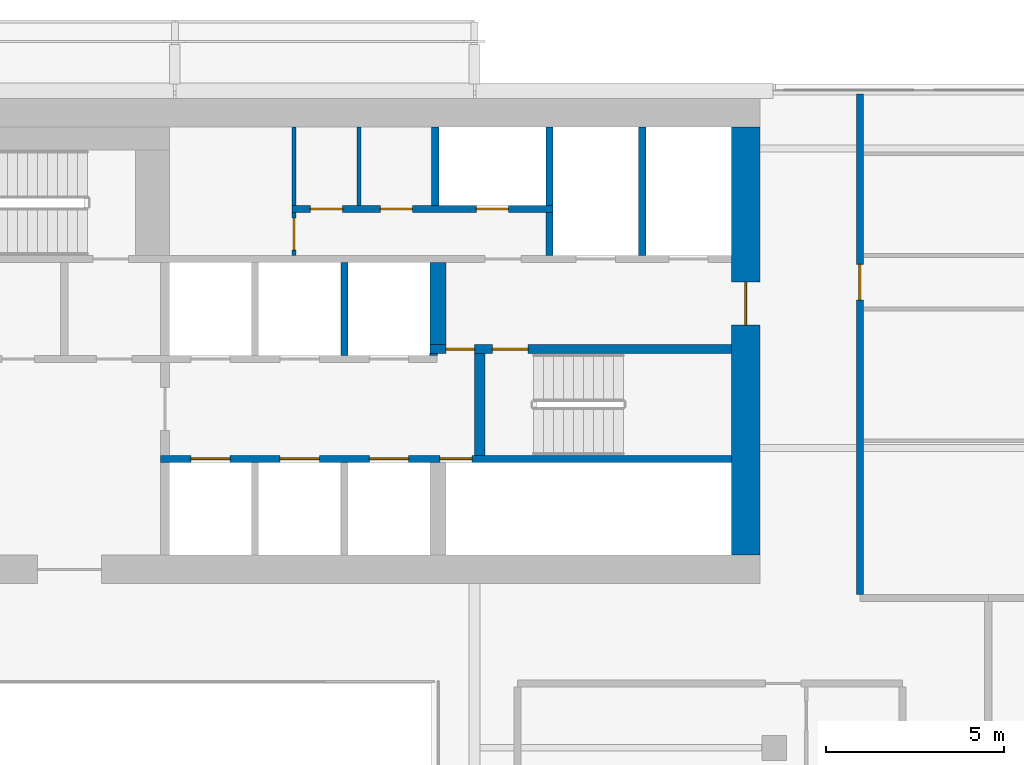
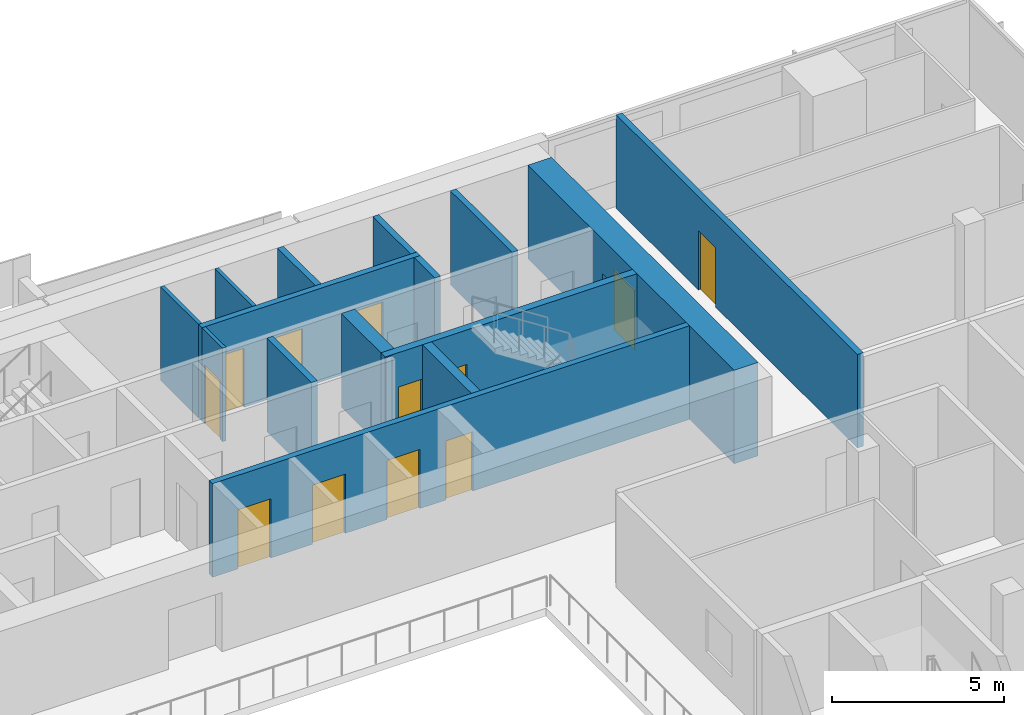
# One storey, part 22 of 27: 16 walls, 12 doors, 12 openings.
"""IFC4 building model written with IfcOpenShell, lengths in metres."""

from ifc_helpers import new_model, si_unit, direction, frame, frame_2d, origin, place, context, subcontext, project, spatial, rectangle, extrude, material, layer, layer_set, type_object, element, fill, save


model = new_model("IFC4")

# Units and contexts
model_context = context("Model", 3, precision=1e-05, world=origin(), true_north=direction((0.0, 1.0)))
body_context = subcontext(model_context, "Body", "Model", "MODEL_VIEW")
ifc_project = project(units=[si_unit("LENGTHUNIT", "METRE"), si_unit("AREAUNIT", "SQUARE_METRE"), si_unit("VOLUMEUNIT", "CUBIC_METRE"), si_unit("PLANEANGLEUNIT", "RADIAN"), si_unit("MASSUNIT", "GRAM", prefix="KILO")], contexts=[model_context])

# Site, building, storey
site_placement = place(None, origin())
site = spatial("IfcSite", under=ifc_project, at=site_placement, CompositionType="ELEMENT")
building_placement = place(site_placement, origin())
building = spatial("IfcBuilding", under=site, at=building_placement, Name="Saffron Gate Tower", CompositionType="ELEMENT")
storey_placement = place(building_placement, frame((0.0, 0.0, 172.64990234375)))
storey = spatial("IfcBuildingStorey", under=building, at=storey_placement, Name="L42", CompositionType="ELEMENT", Elevation=172.64990234375)

# Wall, opening, door
ifc_material_1 = material(Name="Concrete C60", Category="concrete")
ifc_layer_1 = layer(ifc_material_1, 0.800048828125)
ifc_layer_set_1 = layer_set([ifc_layer_1], Name="CW13 RC core wall 800 C60")
wall_type_1 = type_object("IfcWallType", Name="CW13 RC core wall 800 C60", PredefinedType="SOLIDWALL", material=ifc_layer_set_1)
wall_1_placement = place(storey_placement, frame((107.800048828125, 62.39990234375, 0.0), z_axis=(0.0, 0.0, 1.0), x_axis=(0.0, 1.0, 0.0)))
wall_1 = element("IfcWall", 1, at=wall_1_placement, inside=storey, type_object=wall_type_1, Name="Wall CW13-L42-4", PredefinedType="SOLIDWALL", context=body_context, shape_type="SweptSolid", body=[
    extrude(rectangle(XDim=12.0, YDim=0.800048828125, at=frame_2d((6.0, 0.0))), origin(), (0.0, 0.0, 1.0), 3.320068359375),
])
opening_1_placement = place(wall_1_placement, frame((6.449951171875, 0.0, 0.0)))
opening_1 = element("IfcOpeningElement", 2, at=opening_1_placement, cuts=wall_1, Name="Opening CR-08", PredefinedType="OPENING", context=body_context, shape_type="SweptSolid", body=[
    extrude(rectangle(XDim=1.199951171875, YDim=2.10009765625, at=frame_2d((0.60009765625, 1.050048828125))), frame((0.0, 0.41015625, 0.0), z_axis=(0.0, -1.0, 0.0), x_axis=(1.0, 0.0, 0.0)), (0.0, 0.0, 1.0), 0.820068359375),
])
ifc_material_2 = material(Name="Steel fire door set", Category="steel")
door_type_1 = type_object("IfcDoorType", Name="CD7 Core entrance door 1200x2100 EI 120", OperationType="NOTDEFINED", PredefinedType="DOOR", material=ifc_material_2)
door_1_placement = place(opening_1_placement, origin())
door_1 = element("IfcDoor", 3, at=door_1_placement, inside=storey, type_object=door_type_1, Name="DOOR CR-08", OperationType="SINGLE_SWING_RIGHT", OverallHeight=2.10009765625, OverallWidth=1.199951171875, PredefinedType="DOOR", context=body_context, shape_type="SweptSolid", body=[
    extrude(rectangle(XDim=1.199951171875, YDim=2.10009765625, at=frame_2d((0.60009765625, 1.050048828125))), frame((0.0, 0.02490234375, 0.0), z_axis=(0.0, -1.0, 0.0), x_axis=(1.0, 0.0, 0.0)), (0.0, 0.0, 1.0), 0.050048828125),
])
fill(opening_1, door_1)

# Wall, openings, doors
ifc_layer_2 = layer(ifc_material_1, 0.25)
ifc_layer_set_2 = layer_set([ifc_layer_2], Name="CW14 RC core wall 250 C60")
wall_type_2 = type_object("IfcWallType", Name="CW14 RC core wall 250 C60", PredefinedType="SOLIDWALL", material=ifc_layer_set_2)
wall_2_placement = place(storey_placement, frame((98.949951171875, 68.175048828125, 0.0), z_axis=(0.0, 0.0, 1.0), x_axis=(1.0, 0.0, 0.0)))
wall_2 = element("IfcWall", 4, at=wall_2_placement, inside=storey, type_object=wall_type_2, Name="Wall CW14-L42-29", PredefinedType="SOLIDWALL", context=body_context, shape_type="SweptSolid", body=[
    extrude(rectangle(XDim=8.449951171875, YDim=0.25, at=frame_2d((4.22509765625, 0.0))), origin(), (0.0, 0.0, 1.0), 3.320068359375),
])
opening_2_placement = place(wall_2_placement, frame((0.449951171875, 0.0, 0.0)))
opening_2 = element("IfcOpeningElement", 5, at=opening_2_placement, cuts=wall_2, Name="Opening CR-05", PredefinedType="OPENING", context=body_context, shape_type="SweptSolid", body=[
    extrude(rectangle(XDim=0.800048828125, YDim=2.10009765625, at=frame_2d((0.39990234375, 1.050048828125))), frame((0.0, 0.135009765625, 0.0), z_axis=(0.0, -1.0, 0.0), x_axis=(1.0, 0.0, 0.0)), (0.0, 0.0, 1.0), 0.27001953125),
])
opening_3_placement = place(wall_2_placement, frame((1.75, 0.0, 0.0)))
opening_3 = element("IfcOpeningElement", 6, at=opening_3_placement, cuts=wall_2, Name="Opening CR-16", PredefinedType="OPENING", context=body_context, shape_type="SweptSolid", body=[
    extrude(rectangle(XDim=1.0, YDim=2.10009765625, at=frame_2d((0.5, 1.050048828125))), frame((0.0, 0.135009765625, 0.0), z_axis=(0.0, -1.0, 0.0), x_axis=(1.0, 0.0, 0.0)), (0.0, 0.0, 1.0), 0.27001953125),
])
door_type_2 = type_object("IfcDoorType", Name="CD5 Stair door 1000x2100 EI 120", OperationType="NOTDEFINED", PredefinedType="DOOR", material=ifc_material_2)
door_2_placement = place(opening_3_placement, origin())
door_2 = element("IfcDoor", 7, at=door_2_placement, inside=storey, type_object=door_type_2, Name="DOOR CR-16", OperationType="SINGLE_SWING_RIGHT", OverallHeight=2.10009765625, OverallWidth=1.0, PredefinedType="DOOR", context=body_context, shape_type="SweptSolid", body=[
    extrude(rectangle(XDim=1.0, YDim=2.10009765625, at=frame_2d((0.5, 1.050048828125))), frame((0.0, 0.02490234375, 0.0), z_axis=(0.0, -1.0, 0.0), x_axis=(1.0, 0.0, 0.0)), (0.0, 0.0, 1.0), 0.050048828125),
])
fill(opening_3, door_2)
door_type_3 = type_object("IfcDoorType", Name="CD6 Lobby door 800x2100 EI 120", OperationType="NOTDEFINED", PredefinedType="DOOR", material=ifc_material_2)
door_3_placement = place(opening_2_placement, origin())
door_3 = element("IfcDoor", 8, at=door_3_placement, inside=storey, type_object=door_type_3, Name="DOOR CR-05", OperationType="SINGLE_SWING_LEFT", OverallHeight=2.10009765625, OverallWidth=0.800048828125, PredefinedType="DOOR", context=body_context, shape_type="SweptSolid", body=[
    extrude(rectangle(XDim=0.800048828125, YDim=2.10009765625, at=frame_2d((0.39990234375, 1.050048828125))), frame((0.0, 0.02490234375, 0.0), z_axis=(0.0, -1.0, 0.0), x_axis=(1.0, 0.0, 0.0)), (0.0, 0.0, 1.0), 0.050048828125),
])
fill(opening_2, door_3)

ifc_layer_3 = layer(ifc_material_1, 0.199951171875)
ifc_layer_set_3 = layer_set([ifc_layer_3], Name="CW15 RC core wall 200 C60")
wall_type_3 = type_object("IfcWallType", Name="CW15 RC core wall 200 C60", PredefinedType="SOLIDWALL", material=ifc_layer_set_3)
wall_3_placement = place(storey_placement, frame((91.39990234375, 65.10009765625, 0.0), z_axis=(0.0, 0.0, 1.0), x_axis=(1.0, 0.0, 0.0)))
wall_3 = element("IfcWall", 9, at=wall_3_placement, inside=storey, type_object=wall_type_3, Name="Wall CW15-L42-14", PredefinedType="SOLIDWALL", context=body_context, shape_type="SweptSolid", body=[
    extrude(rectangle(XDim=16.0, YDim=0.199951171875, at=frame_2d((8.0, 0.0))), origin(), (0.0, 0.0, 1.0), 3.320068359375),
])
opening_4_placement = place(wall_3_placement, frame((0.85009765625, 0.0, 0.0)))
opening_4 = element("IfcOpeningElement", 10, at=opening_4_placement, cuts=wall_3, Name="Opening LD-HR1", PredefinedType="OPENING", context=body_context, shape_type="SweptSolid", body=[
    extrude(rectangle(XDim=1.10009765625, YDim=2.10009765625, at=frame_2d((0.550048828125, 1.050048828125))), frame((0.0, 0.10986328125, 0.0), z_axis=(0.0, -1.0, 0.0), x_axis=(1.0, 0.0, 0.0)), (0.0, 0.0, 1.0), 0.219970703125),
])
opening_5_placement = place(wall_3_placement, frame((3.35009765625, 0.0, 0.0)))
opening_5 = element("IfcOpeningElement", 11, at=opening_5_placement, cuts=wall_3, Name="Opening LD-HR2", PredefinedType="OPENING", context=body_context, shape_type="SweptSolid", body=[
    extrude(rectangle(XDim=1.10009765625, YDim=2.10009765625, at=frame_2d((0.550048828125, 1.050048828125))), frame((0.0, 0.10986328125, 0.0), z_axis=(0.0, -1.0, 0.0), x_axis=(1.0, 0.0, 0.0)), (0.0, 0.0, 1.0), 0.219970703125),
])
opening_6_placement = place(wall_3_placement, frame((5.85009765625, 0.0, 0.0)))
opening_6 = element("IfcOpeningElement", 12, at=opening_6_placement, cuts=wall_3, Name="Opening LD-HR3", PredefinedType="OPENING", context=body_context, shape_type="SweptSolid", body=[
    extrude(rectangle(XDim=1.10009765625, YDim=2.10009765625, at=frame_2d((0.550048828125, 1.050048828125))), frame((0.0, 0.10986328125, 0.0), z_axis=(0.0, -1.0, 0.0), x_axis=(1.0, 0.0, 0.0)), (0.0, 0.0, 1.0), 0.219970703125),
])
opening_7_placement = place(wall_3_placement, frame((7.830078125, 0.0, 0.0)))
opening_7 = element("IfcOpeningElement", 13, at=opening_7_placement, cuts=wall_3, Name="Opening CR-48", PredefinedType="OPENING", context=body_context, shape_type="SweptSolid", body=[
    extrude(rectangle(XDim=0.89990234375, YDim=2.10009765625, at=frame_2d((0.449951171875, 1.050048828125))), frame((0.0, 0.10986328125, 0.0), z_axis=(0.0, -1.0, 0.0), x_axis=(1.0, 0.0, 0.0)), (0.0, 0.0, 1.0), 0.219970703125),
])
door_type_4 = type_object("IfcDoorType", Name="CD2 Riser door 900x2100 EI 60", OperationType="NOTDEFINED", PredefinedType="DOOR", material=ifc_material_2)
door_4_placement = place(opening_7_placement, origin())
door_4 = element("IfcDoor", 14, at=door_4_placement, inside=storey, type_object=door_type_4, Name="DOOR CR-48", OperationType="SINGLE_SWING_RIGHT", OverallHeight=2.10009765625, OverallWidth=0.89990234375, PredefinedType="DOOR", context=body_context, shape_type="SweptSolid", body=[
    extrude(rectangle(XDim=0.89990234375, YDim=2.10009765625, at=frame_2d((0.449951171875, 1.050048828125))), frame((0.0, 0.02490234375, 0.0), z_axis=(0.0, -1.0, 0.0), x_axis=(1.0, 0.0, 0.0)), (0.0, 0.0, 1.0), 0.050048828125),
])
fill(opening_7, door_4)
ifc_material_3 = material(Name="Stainless steel landing door", Category="steel")
door_type_5 = type_object("IfcDoorType", Name="LD Lift landing door 1100x2100 EI 120", OperationType="SLIDING_TO_LEFT", PredefinedType="DOOR", material=ifc_material_3)
door_5_placement = place(opening_4_placement, origin())
door_5 = element("IfcDoor", 15, at=door_5_placement, inside=storey, type_object=door_type_5, Name="LANDING DOOR LD-HR1", OperationType="SLIDING_TO_LEFT", OverallHeight=2.10009765625, OverallWidth=1.10009765625, PredefinedType="DOOR", context=body_context, shape_type="SweptSolid", body=[
    extrude(rectangle(XDim=1.10009765625, YDim=2.10009765625, at=frame_2d((0.550048828125, 1.050048828125))), frame((0.0, 0.02490234375, 0.0), z_axis=(0.0, -1.0, 0.0), x_axis=(1.0, 0.0, 0.0)), (0.0, 0.0, 1.0), 0.050048828125),
])
fill(opening_4, door_5)
door_6_placement = place(opening_5_placement, origin())
door_6 = element("IfcDoor", 16, at=door_6_placement, inside=storey, type_object=door_type_5, Name="LANDING DOOR LD-HR2", OperationType="SLIDING_TO_LEFT", OverallHeight=2.10009765625, OverallWidth=1.10009765625, PredefinedType="DOOR", context=body_context, shape_type="SweptSolid", body=[
    extrude(rectangle(XDim=1.10009765625, YDim=2.10009765625, at=frame_2d((0.550048828125, 1.050048828125))), frame((0.0, 0.02490234375, 0.0), z_axis=(0.0, -1.0, 0.0), x_axis=(1.0, 0.0, 0.0)), (0.0, 0.0, 1.0), 0.050048828125),
])
fill(opening_5, door_6)
door_7_placement = place(opening_6_placement, origin())
door_7 = element("IfcDoor", 17, at=door_7_placement, inside=storey, type_object=door_type_5, Name="LANDING DOOR LD-HR3", OperationType="SLIDING_TO_LEFT", OverallHeight=2.10009765625, OverallWidth=1.10009765625, PredefinedType="DOOR", context=body_context, shape_type="SweptSolid", body=[
    extrude(rectangle(XDim=1.10009765625, YDim=2.10009765625, at=frame_2d((0.550048828125, 1.050048828125))), frame((0.0, 0.02490234375, 0.0), z_axis=(0.0, -1.0, 0.0), x_axis=(1.0, 0.0, 0.0)), (0.0, 0.0, 1.0), 0.050048828125),
])
fill(opening_6, door_7)

# Walls
wall_4_placement = place(storey_placement, frame((96.550048828125, 68.0, 0.0), z_axis=(0.0, 0.0, 1.0), x_axis=(0.0, 1.0, 0.0)))
element("IfcWall", 18, at=wall_4_placement, inside=storey, type_object=wall_type_3, Name="Wall CW15-L42-26", PredefinedType="SOLIDWALL", context=body_context, shape_type="SweptSolid", body=[
    extrude(rectangle(XDim=2.60009765625, YDim=0.199951171875, at=frame_2d((1.300048828125, 0.0))), origin(), (0.0, 0.0, 1.0), 3.320068359375),
])
wall_5_placement = place(storey_placement, frame((102.300048828125, 70.800048828125, 0.0), z_axis=(0.0, 0.0, 1.0), x_axis=(0.0, 1.0, 0.0)))
element("IfcWall", 19, at=wall_5_placement, inside=storey, type_object=wall_type_3, Name="Wall CW15-L42-39", PredefinedType="SOLIDWALL", context=body_context, shape_type="SweptSolid", body=[
    extrude(rectangle(XDim=1.199951171875, YDim=0.199951171875, at=frame_2d((0.60009765625, 0.0))), origin(), (0.0, 0.0, 1.0), 3.320068359375),
])
wall_6_placement = place(storey_placement, frame((104.89990234375, 70.800048828125, 0.0), z_axis=(0.0, 0.0, 1.0), x_axis=(0.0, 1.0, 0.0)))
element("IfcWall", 20, at=wall_6_placement, inside=storey, type_object=wall_type_3, Name="Wall CW15-L42-40", PredefinedType="SOLIDWALL", context=body_context, shape_type="SweptSolid", body=[
    extrude(rectangle(XDim=3.599853515625, YDim=0.199951171875, at=frame_2d((1.7998046875, 0.0))), origin(), (0.0, 0.0, 1.0), 3.320068359375),
])

# Wall, openings, doors
wall_7_placement = place(storey_placement, frame((95.080078125, 72.10009765625, 0.0), z_axis=(0.0, 0.0, 1.0), x_axis=(1.0, 0.0, 0.0)))
wall_7 = element("IfcWall", 21, at=wall_7_placement, inside=storey, type_object=wall_type_3, Name="Wall CW15-L42-42", PredefinedType="SOLIDWALL", context=body_context, shape_type="SweptSolid", body=[
    extrude(rectangle(XDim=7.31982421875, YDim=0.199951171875, at=frame_2d((3.659912109375, 0.0))), origin(), (0.0, 0.0, 1.0), 3.320068359375),
])
opening_8_placement = place(wall_7_placement, frame((0.52001953125, 0.0, 0.0)))
opening_8 = element("IfcOpeningElement", 22, at=opening_8_placement, cuts=wall_7, Name="Opening CR-50", PredefinedType="OPENING", context=body_context, shape_type="SweptSolid", body=[
    extrude(rectangle(XDim=0.89990234375, YDim=2.10009765625, at=frame_2d((0.449951171875, 1.050048828125))), frame((0.0, 0.10986328125, 0.0), z_axis=(0.0, -1.0, 0.0), x_axis=(1.0, 0.0, 0.0)), (0.0, 0.0, 1.0), 0.219970703125),
])
opening_9_placement = place(wall_7_placement, frame((2.47998046875, 0.0, 0.0)))
opening_9 = element("IfcOpeningElement", 23, at=opening_9_placement, cuts=wall_7, Name="Opening CR-53", PredefinedType="OPENING", context=body_context, shape_type="SweptSolid", body=[
    extrude(rectangle(XDim=0.89990234375, YDim=2.10009765625, at=frame_2d((0.449951171875, 1.050048828125))), frame((0.0, 0.10986328125, 0.0), z_axis=(0.0, -1.0, 0.0), x_axis=(1.0, 0.0, 0.0)), (0.0, 0.0, 1.0), 0.219970703125),
])
opening_10_placement = place(wall_7_placement, frame((5.169921875, 0.0, 0.0)))
opening_10 = element("IfcOpeningElement", 24, at=opening_10_placement, cuts=wall_7, Name="Opening CR-70", PredefinedType="OPENING", context=body_context, shape_type="SweptSolid", body=[
    extrude(rectangle(XDim=0.89990234375, YDim=2.10009765625, at=frame_2d((0.449951171875, 1.050048828125))), frame((0.0, 0.10986328125, 0.0), z_axis=(0.0, -1.0, 0.0), x_axis=(1.0, 0.0, 0.0)), (0.0, 0.0, 1.0), 0.219970703125),
])
door_8_placement = place(opening_10_placement, origin())
door_8 = element("IfcDoor", 25, at=door_8_placement, inside=storey, type_object=door_type_4, Name="DOOR CR-70", OperationType="SINGLE_SWING_LEFT", OverallHeight=2.10009765625, OverallWidth=0.89990234375, PredefinedType="DOOR", context=body_context, shape_type="SweptSolid", body=[
    extrude(rectangle(XDim=0.89990234375, YDim=2.10009765625, at=frame_2d((0.449951171875, 1.050048828125))), frame((0.0, 0.02490234375, 0.0), z_axis=(0.0, -1.0, 0.0), x_axis=(1.0, 0.0, 0.0)), (0.0, 0.0, 1.0), 0.050048828125),
])
fill(opening_10, door_8)
door_type_6 = type_object("IfcDoorType", Name="CD9 Room door 900x2100 EI 60", OperationType="NOTDEFINED", PredefinedType="DOOR", material=ifc_material_2)
door_9_placement = place(opening_8_placement, origin())
door_9 = element("IfcDoor", 26, at=door_9_placement, inside=storey, type_object=door_type_6, Name="DOOR CR-50", OperationType="SINGLE_SWING_LEFT", OverallHeight=2.10009765625, OverallWidth=0.89990234375, PredefinedType="DOOR", context=body_context, shape_type="SweptSolid", body=[
    extrude(rectangle(XDim=0.89990234375, YDim=2.10009765625, at=frame_2d((0.449951171875, 1.050048828125))), frame((0.0, 0.02490234375, 0.0), z_axis=(0.0, -1.0, 0.0), x_axis=(1.0, 0.0, 0.0)), (0.0, 0.0, 1.0), 0.050048828125),
])
fill(opening_8, door_9)
door_10_placement = place(opening_9_placement, origin())
door_10 = element("IfcDoor", 27, at=door_10_placement, inside=storey, type_object=door_type_6, Name="DOOR CR-53", OperationType="SINGLE_SWING_LEFT", OverallHeight=2.10009765625, OverallWidth=0.89990234375, PredefinedType="DOOR", context=body_context, shape_type="SweptSolid", body=[
    extrude(rectangle(XDim=0.89990234375, YDim=2.10009765625, at=frame_2d((0.449951171875, 1.050048828125))), frame((0.0, 0.02490234375, 0.0), z_axis=(0.0, -1.0, 0.0), x_axis=(1.0, 0.0, 0.0)), (0.0, 0.0, 1.0), 0.050048828125),
])
fill(opening_9, door_10)

# Walls
for number, where, z_axis, x_axis, name in (
    (28, (99.10009765625, 72.199951171875, 0.0), (0.0, 0.0, 1.0), (0.0, 1.0, 0.0), "Wall CW15-L42-49"),
    (29, (102.300048828125, 72.199951171875, 0.0), (0.0, 0.0, 1.0), (0.0, 1.0, 0.0), "Wall CW15-L42-50"),
):
    element("IfcWall", number, at=place(storey_placement, frame(where, z_axis=z_axis, x_axis=x_axis)), inside=storey, type_object=wall_type_3, Name=name, PredefinedType="SOLIDWALL", context=body_context, shape_type="SweptSolid", body=[
        extrude(rectangle(XDim=2.199951171875, YDim=0.199951171875, at=frame_2d((1.10009765625, 0.0))), origin(), (0.0, 0.0, 1.0), 3.320068359375),
    ])
ifc_layer_4 = layer(ifc_material_1, 0.449951171875)
ifc_layer_set_4 = layer_set([ifc_layer_4], Name="CW16 RC core wall 450 C60")
wall_type_4 = type_object("IfcWallType", Name="CW16 RC core wall 450 C60", PredefinedType="SOLIDWALL", material=ifc_layer_set_4)
wall_8_placement = place(storey_placement, frame((99.175048828125, 68.300048828125, 0.0), z_axis=(0.0, 0.0, 1.0), x_axis=(0.0, 1.0, 0.0)))
element("IfcWall", 30, at=wall_8_placement, inside=storey, type_object=wall_type_4, Name="Wall CW16-L42-31", PredefinedType="SOLIDWALL", context=body_context, shape_type="SweptSolid", body=[
    extrude(rectangle(XDim=2.300048828125, YDim=0.449951171875, at=frame_2d((1.14990234375, 0.0))), origin(), (0.0, 0.0, 1.0), 3.320068359375),
])
ifc_layer_5 = layer(ifc_material_1, 0.300048828125)
ifc_layer_set_5 = layer_set([ifc_layer_5], Name="CW17 RC core wall 300 C60")
wall_type_5 = type_object("IfcWallType", Name="CW17 RC core wall 300 C60", PredefinedType="SOLIDWALL", material=ifc_layer_set_5)
wall_9_placement = place(storey_placement, frame((100.35009765625, 65.199951171875, 0.0), z_axis=(0.0, 0.0, 1.0), x_axis=(0.0, 1.0, 0.0)))
element("IfcWall", 31, at=wall_9_placement, inside=storey, type_object=wall_type_5, Name="Wall CW17-L42-18", PredefinedType="SOLIDWALL", context=body_context, shape_type="SweptSolid", body=[
    extrude(rectangle(XDim=2.85009765625, YDim=0.300048828125, at=frame_2d((1.425048828125, 0.0))), origin(), (0.0, 0.0, 1.0), 3.320068359375),
])
ifc_layer_6 = layer(ifc_material_1, 0.050048828125)
ifc_layer_set_6 = layer_set([ifc_layer_6], Name="CW18 RC core wall 50 C60")
wall_type_6 = type_object("IfcWallType", Name="CW18 RC core wall 50 C60", PredefinedType="SOLIDWALL", material=ifc_layer_set_6)
wall_10_placement = place(storey_placement, frame((98.949951171875, 68.02490234375, 0.0), z_axis=(0.0, 0.0, 1.0), x_axis=(1.0, 0.0, 0.0)))
element("IfcWall", 32, at=wall_10_placement, inside=storey, type_object=wall_type_6, Name="Wall CW18-L42-27", PredefinedType="SOLIDWALL", context=body_context, shape_type="SweptSolid", body=[
    extrude(rectangle(XDim=0.199951171875, YDim=0.050048828125, at=frame_2d((0.10009765625, 0.0))), origin(), (0.0, 0.0, 1.0), 3.320068359375),
])

# Wall, opening, door
ifc_material_4 = material(Name="Gypsum board partition on steel studs", Category="steel")
ifc_layer_7 = layer(ifc_material_4, 0.1201171875)
ifc_layer_set_7 = layer_set([ifc_layer_7], Name="CW8 Core partition 120")
wall_type_7 = type_object("IfcWallType", Name="CW8 Core partition 120", PredefinedType="PARTITIONING", material=ifc_layer_set_7)
wall_11_placement = place(storey_placement, frame((95.139892578125, 70.800048828125, 0.0), z_axis=(0.0, 0.0, 1.0), x_axis=(0.0, 1.0, 0.0)))
wall_11 = element("IfcWall", 33, at=wall_11_placement, inside=storey, type_object=wall_type_7, Name="Wall CW8-L42-38", PredefinedType="PARTITIONING", context=body_context, shape_type="SweptSolid", body=[
    extrude(rectangle(XDim=1.199951171875, YDim=0.1201171875, at=frame_2d((0.60009765625, 0.0))), origin(), (0.0, 0.0, 1.0), 3.320068359375),
])
opening_11_placement = place(wall_11_placement, frame((0.14990234375, 0.0, 0.0)))
opening_11 = element("IfcOpeningElement", 34, at=opening_11_placement, cuts=wall_11, Name="Opening CR-54", PredefinedType="OPENING", context=body_context, shape_type="SweptSolid", body=[
    extrude(rectangle(XDim=0.89990234375, YDim=2.10009765625, at=frame_2d((0.449951171875, 1.050048828125))), frame((0.0, 0.070068359375, 0.0), z_axis=(0.0, -1.0, 0.0), x_axis=(1.0, 0.0, 0.0)), (0.0, 0.0, 1.0), 0.14013671875),
])
door_11_placement = place(opening_11_placement, origin())
door_11 = element("IfcDoor", 35, at=door_11_placement, inside=storey, type_object=door_type_6, Name="DOOR CR-54", OperationType="SINGLE_SWING_LEFT", OverallHeight=2.10009765625, OverallWidth=0.89990234375, PredefinedType="DOOR", context=body_context, shape_type="SweptSolid", body=[
    extrude(rectangle(XDim=0.89990234375, YDim=2.10009765625, at=frame_2d((0.449951171875, 1.050048828125))), frame((0.0, 0.02490234375, 0.0), z_axis=(0.0, -1.0, 0.0), x_axis=(1.0, 0.0, 0.0)), (0.0, 0.0, 1.0), 0.050048828125),
])
fill(opening_11, door_11)

# Walls
for number, where, z_axis, x_axis, name in (
    (36, (95.139892578125, 72.199951171875, 0.0), (0.0, 0.0, 1.0), (0.0, 1.0, 0.0), "Wall CW8-L42-47"),
    (37, (96.9599609375, 72.199951171875, 0.0), (0.0, 0.0, 1.0), (0.0, 1.0, 0.0), "Wall CW8-L42-48"),
):
    element("IfcWall", number, at=place(storey_placement, frame(where, z_axis=z_axis, x_axis=x_axis)), inside=storey, type_object=wall_type_7, Name=name, PredefinedType="PARTITIONING", context=body_context, shape_type="SweptSolid", body=[
        extrude(rectangle(XDim=2.199951171875, YDim=0.1201171875, at=frame_2d((1.10009765625, 0.0))), origin(), (0.0, 0.0, 1.0), 3.320068359375),
    ])

# Wall, opening, door
ifc_material_5 = material(Name="Clay brick masonry, rendered", Category="masonry")
ifc_layer_8 = layer(ifc_material_5, 0.199951171875)
ifc_layer_set_8 = layer_set([ifc_layer_8], Name="PW3 Corridor wall 200")
wall_type_8 = type_object("IfcWallType", Name="PW3 Corridor wall 200", PredefinedType="PARTITIONING", material=ifc_layer_set_8)
wall_12_placement = place(storey_placement, frame((111.0, 75.320068359375, 0.0), z_axis=(0.0, 0.0, 1.0), x_axis=(0.0, -1.0, 0.0)))
wall_12 = element("IfcWall", 38, at=wall_12_placement, inside=storey, type_object=wall_type_8, Name="Wall C3-104", PredefinedType="PARTITIONING", context=body_context, shape_type="SweptSolid", body=[
    extrude(rectangle(XDim=14.02001953125, YDim=0.199951171875, at=frame_2d((7.010009765625, 0.0))), origin(), (0.0, 0.0, 1.0), 3.320068359375),
])
opening_12_placement = place(wall_12_placement, frame((4.77001953125, 0.0, 0.0)))
opening_12 = element("IfcOpeningElement", 39, at=opening_12_placement, cuts=wall_12, Name="Opening C3-8", PredefinedType="OPENING", context=body_context, shape_type="SweptSolid", body=[
    extrude(rectangle(XDim=1.0, YDim=2.10009765625, at=frame_2d((0.5, 1.050048828125))), frame((0.0, 0.10986328125, 0.0), z_axis=(0.0, -1.0, 0.0), x_axis=(1.0, 0.0, 0.0)), (0.0, 0.0, 1.0), 0.219970703125),
])
ifc_material_6 = material(Name="Timber fire door set", Category="wood")
door_type_7 = type_object("IfcDoorType", Name="FD1 Flat entry door 1000x2100", OperationType="NOTDEFINED", PredefinedType="DOOR", material=ifc_material_6)
door_12_placement = place(opening_12_placement, origin())
door_12 = element("IfcDoor", 40, at=door_12_placement, inside=storey, type_object=door_type_7, Name="Door C3-8", OperationType="SINGLE_SWING_RIGHT", OverallHeight=2.10009765625, OverallWidth=1.0, PredefinedType="DOOR", context=body_context, shape_type="SweptSolid", body=[
    extrude(rectangle(XDim=1.0, YDim=2.10009765625, at=frame_2d((0.5, 1.050048828125))), frame((0.0, 0.02490234375, 0.0), z_axis=(0.0, -1.0, 0.0), x_axis=(1.0, 0.0, 0.0)), (0.0, 0.0, 1.0), 0.050048828125),
])
fill(opening_12, door_12)

save(model, "model.ifc")
